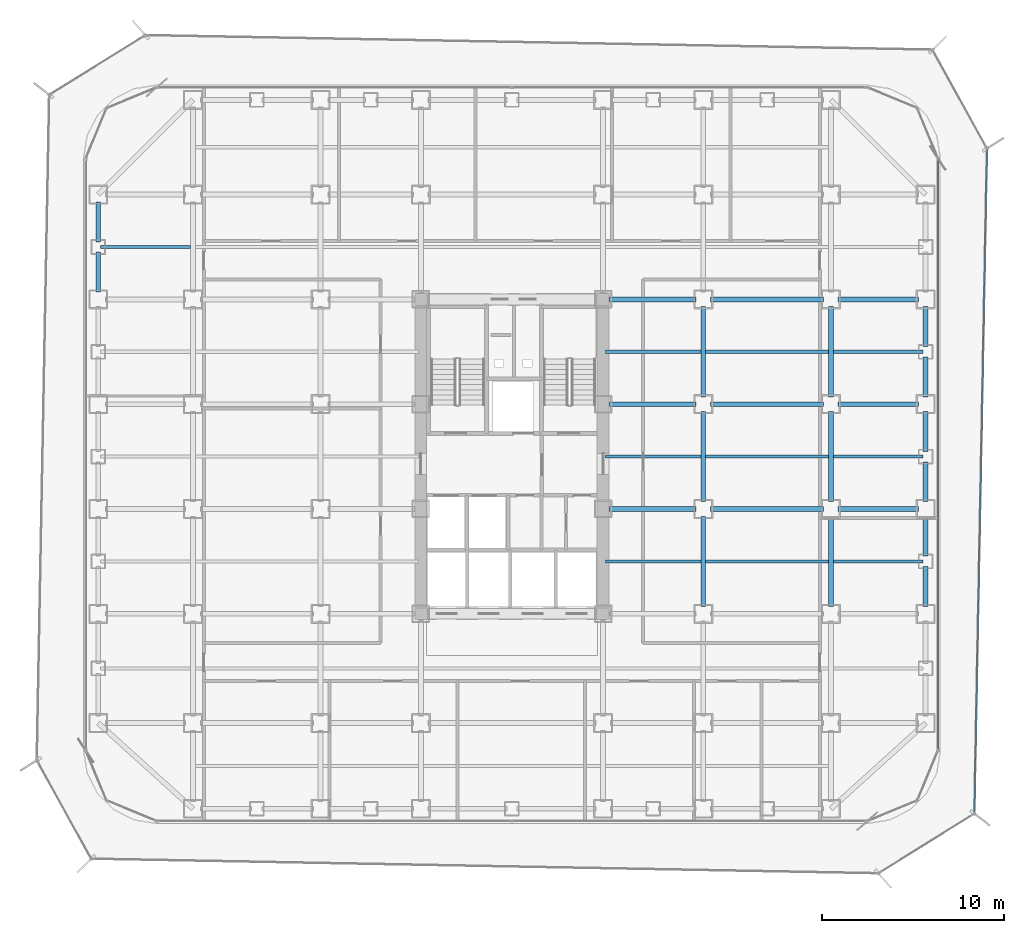
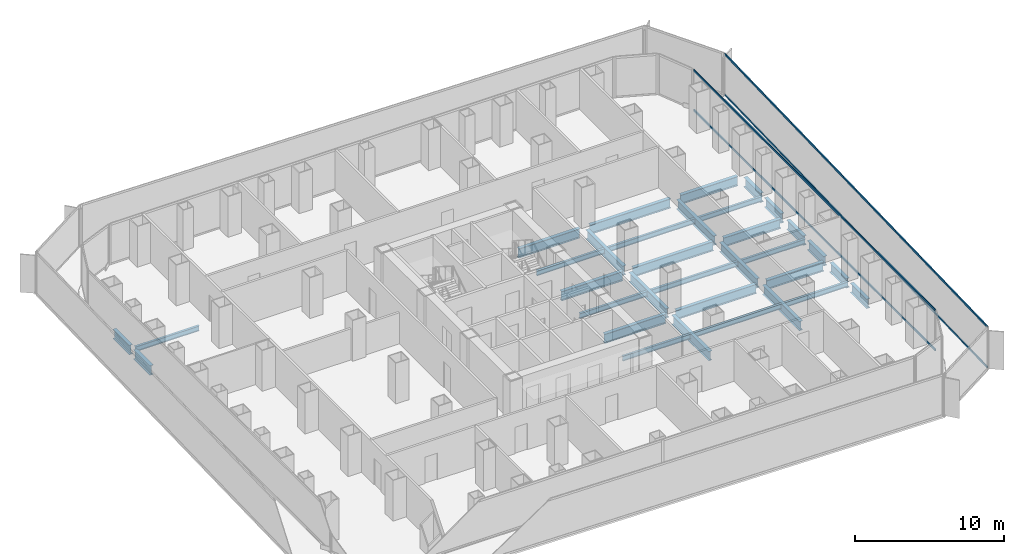
# One storey, part 9 of 22: 33 beams, 4 members, 2 elements without a shape of their own.
"""IFC4 building model written with IfcOpenShell, lengths in metres."""

from ifc_helpers import new_model, si_unit, direction, frame, origin, origin_2d, place, context, subcontext, project, spatial, hollow_rectangle, i_section, extrude, source, transform, mapped, material, layer, layer_set, material_profile, profile_set, type_object, element, aggregate, save


model = new_model("IFC4")

# Units and contexts
model_context = context("Model", 3, precision=1e-05, world=origin(), true_north=direction((0.0, 1.0)))
body_context = subcontext(model_context, "Body", "Model", "MODEL_VIEW")
ifc_project = project(units=[si_unit("LENGTHUNIT", "METRE"), si_unit("AREAUNIT", "SQUARE_METRE"), si_unit("VOLUMEUNIT", "CUBIC_METRE"), si_unit("PLANEANGLEUNIT", "RADIAN"), si_unit("MASSUNIT", "GRAM", prefix="KILO")], contexts=[model_context])

# Site, building, storey
site_placement = place(None, origin())
site = spatial("IfcSite", under=ifc_project, at=site_placement, CompositionType="ELEMENT")
building_placement = place(site_placement, origin())
building = spatial("IfcBuilding", under=site, at=building_placement, Name="Kolveth Station Tower", CompositionType="ELEMENT")
storey_placement = place(building_placement, frame((0.0, 0.0, 81.0)))
storey = spatial("IfcBuildingStorey", under=building, at=storey_placement, Name="L21", CompositionType="ELEMENT", Elevation=81.0)

# Beams
ifc_material_1 = material(Name="Steel S355", Category="steel")
ifc_material_profile_1 = material_profile(ifc_material_1, i_section(OverallWidth=0.26904296875, OverallDepth=0.77490234375, WebThickness=0.01708984375, FlangeThickness=0.0283203125, at=origin_2d()), Name="W760x220")
ifc_profile_set_1 = profile_set([ifc_material_profile_1], Name="Steel S355")
beam_type_1 = type_object("IfcBeamType", Name="Beam_SP1", PredefinedType="SPANDREL", material=ifc_profile_set_1)
shared_shape_1 = source(origin(), body_context, "Body", "SweptSolid", [
    extrude(i_section(OverallWidth=0.26904296875, OverallDepth=0.77490234375, WebThickness=0.01708984375, FlangeThickness=0.0283203125, at=origin_2d()), origin(), (0.0, 0.0, 1.0), 2.2001953125),
])
for number, where, z_axis, x_axis, name in (
    (1, (0.800048828125, 31.89990234375, -0.66748046875), (0.0, 1.0, 0.0), (-1.0, 0.0, 0.0), "L21 Perimeter Spandrel BM-L21-PW-10"),
    (2, (46.199951171875, 11.89990234375, -0.66748046875), (0.0, 1.0, 0.0), (-1.0, 0.0, 0.0), "L21 Perimeter Spandrel BM-L21-PE-3"),
    (3, (46.199951171875, 20.39990234375, -0.66748046875), (0.0, 1.0, 0.0), (-1.0, 0.0, 0.0), "L21 Perimeter Spandrel BM-L21-PE-6"),
    (4, (46.199951171875, 23.39990234375, -0.66748046875), (0.0, 1.0, 0.0), (-1.0, 0.0, 0.0), "L21 Perimeter Spandrel BM-L21-PE-7"),
):
    element("IfcBeam", number, at=place(storey_placement, frame(where, z_axis=z_axis, x_axis=x_axis)), inside=storey, type_object=beam_type_1, Name=name, PredefinedType="SPANDREL", context=body_context, shape_type="MappedRepresentation", body=[
        mapped(shared_shape_1, transform((0.0, 0.0, 0.0), x_axis=(1.0, 0.0, 0.0), y_axis=(0.0, 1.0, 0.0), z_axis=(0.0, 0.0, 1.0), scale=1.0)),
    ])
shared_shape_2 = source(origin(), body_context, "Body", "SweptSolid", [
    extrude(i_section(OverallWidth=0.26904296875, OverallDepth=0.77490234375, WebThickness=0.01708984375, FlangeThickness=0.0283203125, at=origin_2d()), origin(), (0.0, 0.0, 1.0), 2.190185546875),
])
for number, where, z_axis, x_axis, name in (
    (5, (0.800048828125, 29.14990234375, -0.66748046875), (0.0, 1.0, 0.0), (-1.0, 0.0, 0.0), "L21 Perimeter Spandrel BM-L21-PW-9"),
    (6, (46.199951171875, 14.659912109375, -0.66748046875), (0.0, 1.0, 0.0), (-1.0, 0.0, 0.0), "L21 Perimeter Spandrel BM-L21-PE-4"),
    (7, (46.199951171875, 17.64990234375, -0.66748046875), (0.0, 1.0, 0.0), (-1.0, 0.0, 0.0), "L21 Perimeter Spandrel BM-L21-PE-5"),
    (8, (46.199951171875, 26.159912109375, -0.66748046875), (0.0, 1.0, 0.0), (-1.0, 0.0, 0.0), "L21 Perimeter Spandrel BM-L21-PE-8"),
):
    element("IfcBeam", number, at=place(storey_placement, frame(where, z_axis=z_axis, x_axis=x_axis)), inside=storey, type_object=beam_type_1, Name=name, PredefinedType="SPANDREL", context=body_context, shape_type="MappedRepresentation", body=[
        mapped(shared_shape_2, transform((0.0, 0.0, 0.0), x_axis=(1.0, 0.0, 0.0), y_axis=(0.0, 1.0, 0.0), z_axis=(0.0, 0.0, 1.0), scale=1.0)),
    ])
ifc_material_profile_2 = material_profile(ifc_material_1, i_section(OverallWidth=0.26708984375, OverallDepth=0.76611328125, WebThickness=0.014892578125, FlangeThickness=0.023681640625, at=origin_2d()), Name="W760x185")
ifc_profile_set_2 = profile_set([ifc_material_profile_2], Name="Steel S355")
beam_type_2 = type_object("IfcBeamType", Name="Beam_B3", PredefinedType="BEAM", material=ifc_profile_set_2)
shared_shape_3 = source(origin(), body_context, "Body", "SweptSolid", [
    extrude(i_section(OverallWidth=0.26708984375, OverallDepth=0.76611328125, WebThickness=0.014892578125, FlangeThickness=0.023681640625, at=origin_2d()), origin(), (0.0, 0.0, 1.0), 4.400146484375),
])
for number, where, z_axis, x_axis, name in (
    (9, (41.39990234375, 17.25, -0.6630859375), (1.0, 0.0, 0.0), (0.0, 1.0, 0.0), "L21 Primary Girder BM-L21-GY172-7"),
    (10, (41.39990234375, 23.0, -0.6630859375), (1.0, 0.0, 0.0), (0.0, 1.0, 0.0), "L21 Primary Girder BM-L21-GY230-7"),
    (11, (41.39990234375, 28.75, -0.6630859375), (1.0, 0.0, 0.0), (0.0, 1.0, 0.0), "L21 Primary Girder BM-L21-GY287-7"),
):
    element("IfcBeam", number, at=place(storey_placement, frame(where, z_axis=z_axis, x_axis=x_axis)), inside=storey, type_object=beam_type_2, Name=name, PredefinedType="BEAM", context=body_context, shape_type="MappedRepresentation", body=[
        mapped(shared_shape_3, transform((0.0, 0.0, 0.0), x_axis=(1.0, 0.0, 0.0), y_axis=(0.0, 1.0, 0.0), z_axis=(0.0, 0.0, 1.0), scale=1.0)),
    ])
shared_shape_4 = source(origin(), body_context, "Body", "SweptSolid", [
    extrude(i_section(OverallWidth=0.26708984375, OverallDepth=0.76611328125, WebThickness=0.014892578125, FlangeThickness=0.023681640625, at=origin_2d()), origin(), (0.0, 0.0, 1.0), 6.2001953125),
])
for number, where, z_axis, x_axis, name in (
    (12, (34.39990234375, 17.25, -0.6630859375), (1.0, 0.0, 0.0), (0.0, 1.0, 0.0), "L21 Primary Girder BM-L21-GY172-6"),
    (13, (34.39990234375, 23.0, -0.6630859375), (1.0, 0.0, 0.0), (0.0, 1.0, 0.0), "L21 Primary Girder BM-L21-GY230-6"),
    (14, (34.39990234375, 28.75, -0.6630859375), (1.0, 0.0, 0.0), (0.0, 1.0, 0.0), "L21 Primary Girder BM-L21-GY287-6"),
):
    element("IfcBeam", number, at=place(storey_placement, frame(where, z_axis=z_axis, x_axis=x_axis)), inside=storey, type_object=beam_type_2, Name=name, PredefinedType="BEAM", context=body_context, shape_type="MappedRepresentation", body=[
        mapped(shared_shape_4, transform((0.0, 0.0, 0.0), x_axis=(1.0, 0.0, 0.0), y_axis=(0.0, 1.0, 0.0), z_axis=(0.0, 0.0, 1.0), scale=1.0)),
    ])
shared_shape_5 = source(origin(), body_context, "Body", "SweptSolid", [
    extrude(i_section(OverallWidth=0.26708984375, OverallDepth=0.76611328125, WebThickness=0.014892578125, FlangeThickness=0.023681640625, at=origin_2d()), origin(), (0.0, 0.0, 1.0), 4.739990234375),
])
for number, where, z_axis, x_axis, name in (
    (15, (28.860107421875, 17.25, -0.6630859375), (1.0, 0.0, 0.0), (0.0, 1.0, 0.0), "L21 Primary Girder BM-L21-GY172-5"),
    (16, (28.860107421875, 23.0, -0.6630859375), (1.0, 0.0, 0.0), (0.0, 1.0, 0.0), "L21 Primary Girder BM-L21-GY230-5"),
    (17, (28.860107421875, 28.75, -0.6630859375), (1.0, 0.0, 0.0), (0.0, 1.0, 0.0), "L21 Primary Girder BM-L21-GY287-5"),
):
    element("IfcBeam", number, at=place(storey_placement, frame(where, z_axis=z_axis, x_axis=x_axis)), inside=storey, type_object=beam_type_2, Name=name, PredefinedType="BEAM", context=body_context, shape_type="MappedRepresentation", body=[
        mapped(shared_shape_5, transform((0.0, 0.0, 0.0), x_axis=(1.0, 0.0, 0.0), y_axis=(0.0, 1.0, 0.0), z_axis=(0.0, 0.0, 1.0), scale=1.0)),
    ])
shared_shape_6 = source(origin(), body_context, "Body", "SweptSolid", [
    extrude(i_section(OverallWidth=0.26708984375, OverallDepth=0.76611328125, WebThickness=0.014892578125, FlangeThickness=0.023681640625, at=origin_2d()), origin(), (0.0, 0.0, 1.0), 4.9501953125),
])
for number, where, z_axis, x_axis, name in (
    (18, (34.0, 11.89990234375, -0.6630859375), (0.0, 1.0, 0.0), (-1.0, 0.0, 0.0), "L21 Primary Girder BM-L21-GX340-3"),
    (19, (34.0, 17.64990234375, -0.6630859375), (0.0, 1.0, 0.0), (-1.0, 0.0, 0.0), "L21 Primary Girder BM-L21-GX340-4"),
    (20, (34.0, 23.39990234375, -0.6630859375), (0.0, 1.0, 0.0), (-1.0, 0.0, 0.0), "L21 Primary Girder BM-L21-GX340-5"),
    (21, (41.0, 11.89990234375, -0.6630859375), (0.0, 1.0, 0.0), (-1.0, 0.0, 0.0), "L21 Primary Girder BM-L21-GX410-3"),
    (22, (41.0, 17.64990234375, -0.6630859375), (0.0, 1.0, 0.0), (-1.0, 0.0, 0.0), "L21 Primary Girder BM-L21-GX410-4"),
    (23, (41.0, 23.39990234375, -0.6630859375), (0.0, 1.0, 0.0), (-1.0, 0.0, 0.0), "L21 Primary Girder BM-L21-GX410-5"),
):
    element("IfcBeam", number, at=place(storey_placement, frame(where, z_axis=z_axis, x_axis=x_axis)), inside=storey, type_object=beam_type_2, Name=name, PredefinedType="BEAM", context=body_context, shape_type="MappedRepresentation", body=[
        mapped(shared_shape_6, transform((0.0, 0.0, 0.0), x_axis=(1.0, 0.0, 0.0), y_axis=(0.0, 1.0, 0.0), z_axis=(0.0, 0.0, 1.0), scale=1.0)),
    ])
ifc_material_profile_3 = material_profile(ifc_material_1, i_section(OverallWidth=0.177978515625, OverallDepth=0.406982421875, WebThickness=0.0078125, FlangeThickness=0.0126953125, at=origin_2d()), Name="W410x60")
ifc_profile_set_3 = profile_set([ifc_material_profile_3], Name="Steel S355")
beam_type_3 = type_object("IfcBeamType", Name="Beam_J1", PredefinedType="JOIST", material=ifc_profile_set_3)
shared_shape_7 = source(origin(), body_context, "Body", "SweptSolid", [
    extrude(i_section(OverallWidth=0.177978515625, OverallDepth=0.406982421875, WebThickness=0.0078125, FlangeThickness=0.0126953125, at=origin_2d()), origin(), (0.0, 0.0, 1.0), 4.935791015625),
])
for number, where, z_axis, x_axis, name in (
    (24, (0.9326171875, 31.625, -0.4833984375), (1.0, 0.0, 0.0), (0.0, 1.0, 0.0), "L21 Secondary Joist JST-L21-1-6"),
    (25, (41.131591796875, 14.375, -0.4833984375), (1.0, 0.0, 0.0), (0.0, 1.0, 0.0), "L21 Secondary Joist JST-L21-7-3"),
    (26, (41.131591796875, 20.125, -0.4833984375), (1.0, 0.0, 0.0), (0.0, 1.0, 0.0), "L21 Secondary Joist JST-L21-7-4"),
    (27, (41.131591796875, 25.875, -0.4833984375), (1.0, 0.0, 0.0), (0.0, 1.0, 0.0), "L21 Secondary Joist JST-L21-7-5"),
):
    element("IfcBeam", number, at=place(storey_placement, frame(where, z_axis=z_axis, x_axis=x_axis)), inside=storey, type_object=beam_type_3, Name=name, PredefinedType="JOIST", context=body_context, shape_type="MappedRepresentation", body=[
        mapped(shared_shape_7, transform((0.0, 0.0, 0.0), x_axis=(1.0, 0.0, 0.0), y_axis=(0.0, 1.0, 0.0), z_axis=(0.0, 0.0, 1.0), scale=1.0)),
    ])
shared_shape_8 = source(origin(), body_context, "Body", "SweptSolid", [
    extrude(i_section(OverallWidth=0.177978515625, OverallDepth=0.406982421875, WebThickness=0.0078125, FlangeThickness=0.0126953125, at=origin_2d()), origin(), (0.0, 0.0, 1.0), 6.73681640625),
])
for number, where, z_axis, x_axis, name in (
    (28, (34.131591796875, 14.375, -0.4833984375), (1.0, 0.0, 0.0), (0.0, 1.0, 0.0), "L21 Secondary Joist JST-L21-6-3"),
    (29, (34.131591796875, 20.125, -0.4833984375), (1.0, 0.0, 0.0), (0.0, 1.0, 0.0), "L21 Secondary Joist JST-L21-6-4"),
    (30, (34.131591796875, 25.875, -0.4833984375), (1.0, 0.0, 0.0), (0.0, 1.0, 0.0), "L21 Secondary Joist JST-L21-6-5"),
):
    element("IfcBeam", number, at=place(storey_placement, frame(where, z_axis=z_axis, x_axis=x_axis)), inside=storey, type_object=beam_type_3, Name=name, PredefinedType="JOIST", context=body_context, shape_type="MappedRepresentation", body=[
        mapped(shared_shape_8, transform((0.0, 0.0, 0.0), x_axis=(1.0, 0.0, 0.0), y_axis=(0.0, 1.0, 0.0), z_axis=(0.0, 0.0, 1.0), scale=1.0)),
    ])
shared_shape_9 = source(origin(), body_context, "Body", "SweptSolid", [
    extrude(i_section(OverallWidth=0.177978515625, OverallDepth=0.406982421875, WebThickness=0.0078125, FlangeThickness=0.0126953125, at=origin_2d()), origin(), (0.0, 0.0, 1.0), 5.23681640625),
])
for number, where, z_axis, x_axis, name in (
    (31, (28.631591796875, 14.375, -0.4833984375), (1.0, 0.0, 0.0), (0.0, 1.0, 0.0), "L21 Secondary Joist JST-L21-5-3"),
    (32, (28.631591796875, 20.125, -0.4833984375), (1.0, 0.0, 0.0), (0.0, 1.0, 0.0), "L21 Secondary Joist JST-L21-5-4"),
    (33, (28.631591796875, 25.875, -0.4833984375), (1.0, 0.0, 0.0), (0.0, 1.0, 0.0), "L21 Secondary Joist JST-L21-5-5"),
):
    element("IfcBeam", number, at=place(storey_placement, frame(where, z_axis=z_axis, x_axis=x_axis)), inside=storey, type_object=beam_type_3, Name=name, PredefinedType="JOIST", context=body_context, shape_type="MappedRepresentation", body=[
        mapped(shared_shape_9, transform((0.0, 0.0, 0.0), x_axis=(1.0, 0.0, 0.0), y_axis=(0.0, 1.0, 0.0), z_axis=(0.0, 0.0, 1.0), scale=1.0)),
    ])

# Curtain wall, members
ifc_material_2 = material(Name="Aluminium 6063-T6 and low-E dark glass", Category="aluminium")
ifc_layer_1 = layer(ifc_material_2, 0.179931640625)
ifc_layer_set_1 = layer_set([ifc_layer_1], Name="Aluminium 6063-T6 and low-E dark glass")
curtain_wall_type_1 = type_object("IfcCurtainWallType", Name="CurtainWall_CW-Z1", PredefinedType="NOTDEFINED", material=ifc_layer_set_1)
curtain_wall_1_placement = place(storey_placement, origin())
curtain_wall_1 = element("IfcCurtainWall", 34, at=curtain_wall_1_placement, inside=storey, type_object=curtain_wall_type_1, Name="L21 Inner Thermal Curtain Wall 3", PredefinedType="NOTDEFINED")
ifc_material_3 = material(Name="Black anodized aluminium 6063-T6", Category="aluminium")
ifc_material_profile_4 = material_profile(ifc_material_3, hollow_rectangle(XDim=0.074951171875, YDim=0.159912109375, WallThickness=0.0048828125, at=origin_2d()), Name="ALU-75x160x5")
ifc_profile_set_4 = profile_set([ifc_material_profile_4], Name="Black anodized aluminium 6063-T6")
member_type_1 = type_object("IfcMemberType", Name="Transom_TR1", PredefinedType="USERDEFINED", material=ifc_profile_set_4)
shared_shape_10 = source(origin(), body_context, "Body", "SweptSolid", [
    extrude(hollow_rectangle(XDim=0.074951171875, YDim=0.159912109375, WallThickness=0.0048828125, at=origin_2d()), origin(), (0.0, 0.0, 1.0), 32.35009765625),
])
member_1_placement = place(storey_placement, frame((46.8798828125, 4.074951171875, 0.03759765625), z_axis=(0.0, 1.0, 0.0), x_axis=(-1.0, 0.0, 0.0)))
member_1 = element("IfcMember", 35, at=member_1_placement, type_object=member_type_1, Name="CW-Z1 transom 1.1", ObjectType="TRANSOM", PredefinedType="USERDEFINED", context=body_context, shape_type="MappedRepresentation", body=[
    mapped(shared_shape_10, transform((0.0, 0.0, 0.0), x_axis=(1.0, 0.0, 0.0), y_axis=(0.0, 1.0, 0.0), z_axis=(0.0, 0.0, 1.0), scale=1.0)),
])
member_2_placement = place(storey_placement, frame((46.8798828125, 4.074951171875, 3.282470703125), z_axis=(0.0, 1.0, 0.0), x_axis=(-1.0, 0.0, 0.0)))
member_2 = element("IfcMember", 36, at=member_2_placement, type_object=member_type_1, Name="CW-Z1 transom 1.2", ObjectType="TRANSOM", PredefinedType="USERDEFINED", context=body_context, shape_type="MappedRepresentation", body=[
    mapped(shared_shape_10, transform((0.0, 0.0, 0.0), x_axis=(1.0, 0.0, 0.0), y_axis=(0.0, 1.0, 0.0), z_axis=(0.0, 0.0, 1.0), scale=1.0)),
])
aggregate(curtain_wall_1, [member_1, member_2])

ifc_material_4 = material(Name="Black anodized aluminium 6063-T6 and dark solar glass", Category="aluminium")
ifc_layer_2 = layer(ifc_material_4, 0.159912109375)
ifc_layer_set_2 = layer_set([ifc_layer_2], Name="Black anodized aluminium 6063-T6 and dark solar glass")
curtain_wall_type_2 = type_object("IfcCurtainWallType", Name="OUTER SKIN CW-OS", PredefinedType="NOTDEFINED", material=ifc_layer_set_2)
curtain_wall_2_placement = place(storey_placement, origin())
curtain_wall_2 = element("IfcCurtainWall", 37, at=curtain_wall_2_placement, inside=storey, type_object=curtain_wall_type_2, Name="L21 Outer Ventilated Skin Curtain Wall 2", PredefinedType="NOTDEFINED")
ifc_material_profile_5 = material_profile(ifc_material_3, hollow_rectangle(XDim=0.080078125, YDim=0.14990234375, WallThickness=0.0048828125, at=origin_2d()), Name="ALU-80x150x5")
ifc_profile_set_5 = profile_set([ifc_material_profile_5], Name="Black anodized aluminium 6063-T6")
member_type_2 = type_object("IfcMemberType", Name="Transom_TR-OS", PredefinedType="USERDEFINED", material=ifc_profile_set_5)
shared_shape_11 = source(origin(), body_context, "Body", "SweptSolid", [
    extrude(hollow_rectangle(XDim=0.080078125, YDim=0.14990234375, WallThickness=0.0048828125, at=origin_2d()), origin(), (0.0, 0.0, 1.0), 36.324951171875),
])
member_3_placement = place(storey_placement, frame((48.881591796875, 0.624267578125, 0.0400390625), z_axis=(0.018986896643, 0.99981973263, 0.0), x_axis=(-0.99981973263, 0.018986896643, 0.0)))
member_3 = element("IfcMember", 38, at=member_3_placement, type_object=member_type_2, Name="CW-OS transom 1.1", ObjectType="TRANSOM", PredefinedType="USERDEFINED", context=body_context, shape_type="MappedRepresentation", body=[
    mapped(shared_shape_11, transform((0.0, 0.0, 0.0), x_axis=(1.0, 0.0, 0.0), y_axis=(0.0, 1.0, 0.0), z_axis=(0.0, 0.0, 1.0), scale=1.0)),
])
member_4_placement = place(storey_placement, frame((48.881591796875, 0.624267578125, 3.35009765625), z_axis=(0.018986896643, 0.99981973263, 0.0), x_axis=(-0.99981973263, 0.018986896643, 0.0)))
member_4 = element("IfcMember", 39, at=member_4_placement, type_object=member_type_2, Name="CW-OS transom 1.2", ObjectType="TRANSOM", PredefinedType="USERDEFINED", context=body_context, shape_type="MappedRepresentation", body=[
    mapped(shared_shape_11, transform((0.0, 0.0, 0.0), x_axis=(1.0, 0.0, 0.0), y_axis=(0.0, 1.0, 0.0), z_axis=(0.0, 0.0, 1.0), scale=1.0)),
])
aggregate(curtain_wall_2, [member_3, member_4])

save(model, "model.ifc")
